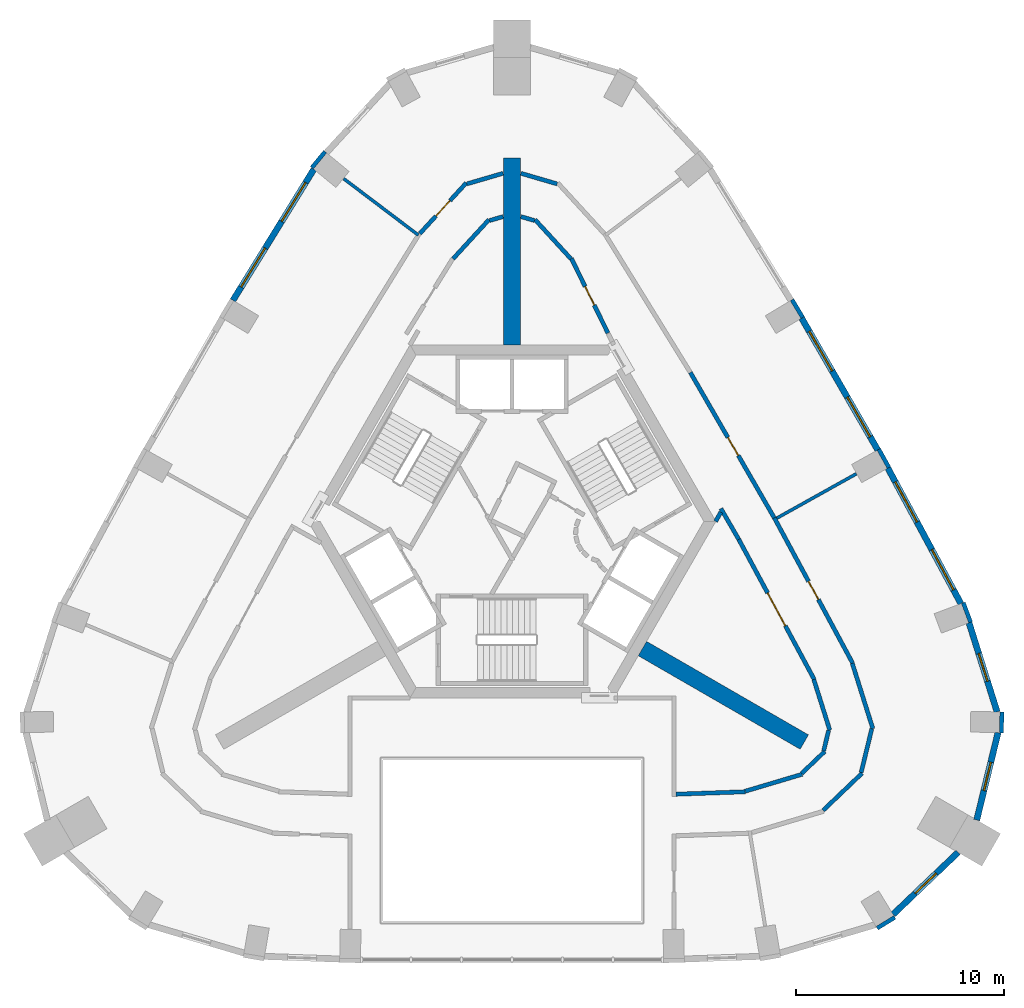
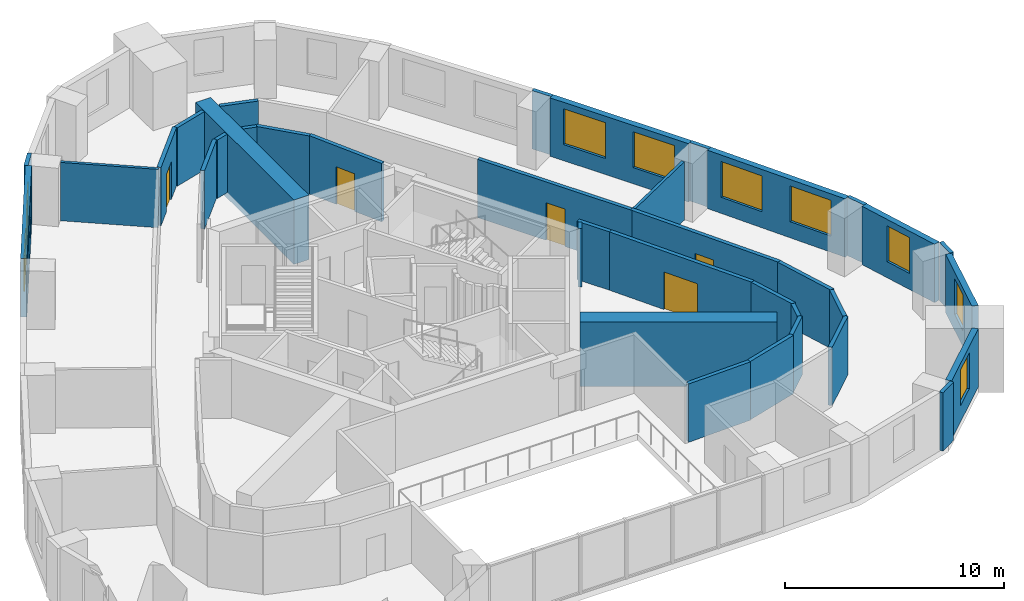
# One storey, part 6 of 8: 37 walls, 9 windows, 5 doors, 14 openings.
"""IFC4 building model written with IfcOpenShell, lengths in metres."""

from ifc_helpers import new_model, si_unit, direction, frame, frame_2d, origin, place, context, subcontext, project, spatial, rectangle, extrude, material, layer, layer_set, type_object, element, fill, save


model = new_model("IFC4")

# Units and contexts
model_context = context("Model", 3, precision=1e-05, world=origin(), true_north=direction((0.0, 1.0)))
body_context = subcontext(model_context, "Body", "Model", "MODEL_VIEW")
ifc_project = project(units=[si_unit("LENGTHUNIT", "METRE"), si_unit("AREAUNIT", "SQUARE_METRE"), si_unit("VOLUMEUNIT", "CUBIC_METRE"), si_unit("PLANEANGLEUNIT", "RADIAN"), si_unit("MASSUNIT", "GRAM", prefix="KILO")], contexts=[model_context])

# Site, building, storey
site_placement = place(None, origin())
site = spatial("IfcSite", under=ifc_project, at=site_placement, CompositionType="ELEMENT")
building_placement = place(site_placement, origin())
building = spatial("IfcBuilding", under=site, at=building_placement, Name="Entoto Arch Interchange Tower", CompositionType="ELEMENT")
storey_placement = place(building_placement, frame((0.0, 0.0, 311.60009765625)))
storey = spatial("IfcBuildingStorey", under=building, at=storey_placement, Name="L73", CompositionType="ELEMENT", Elevation=311.60009765625)

# Walls
ifc_material_1 = material(Name="Concrete C40/50", Category="concrete")
ifc_layer_1 = layer(ifc_material_1, 0.800048828125)
ifc_layer_set_1 = layer_set([ifc_layer_1], Name="Concrete C40/50")
wall_type_1 = type_object("IfcWallType", Name="Buttress wall 800 C40/50", PredefinedType="SHEAR", material=ifc_layer_set_1)
wall_1_placement = place(storey_placement, frame((6.279052734375, -3.625, -0.340087890625), z_axis=(0.0, 0.0, 1.0), x_axis=(0.866017533419, -0.500013631625, 0.0)))
element("IfcWall", 1, at=wall_1_placement, inside=storey, type_object=wall_type_1, Name="Buttress wall SE L73", PredefinedType="SHEAR", context=body_context, shape_type="SweptSolid", body=[
    extrude(rectangle(XDim=8.999755859375, YDim=0.800048828125, at=frame_2d((4.5, 0.0))), origin(), (0.0, 0.0, 1.0), 3.60009765625),
])
wall_2_placement = place(storey_placement, frame((0.0, 11.0, -0.340087890625), z_axis=(0.0, 0.0, 1.0), x_axis=(0.0, 1.0, 0.0)))
element("IfcWall", 2, at=wall_2_placement, inside=storey, type_object=wall_type_1, Name="Buttress wall N L73", PredefinedType="SHEAR", context=body_context, shape_type="SweptSolid", body=[
    extrude(rectangle(XDim=9.0, YDim=0.800048828125, at=frame_2d((4.5, 0.0))), origin(), (0.0, 0.0, 1.0), 3.60009765625),
])
ifc_material_2 = material(Name="Gypsum board partition on steel studs", Category="steel")
ifc_layer_2 = layer(ifc_material_2, 0.14990234375)
ifc_layer_set_2 = layer_set([ifc_layer_2], Name="Gypsum board partition on steel studs")
wall_type_2 = type_object("IfcWallType", Name="PARTITION 150", PredefinedType="PARTITIONING", material=ifc_layer_set_2)
wall_3_placement = place(storey_placement, frame((12.7509765625, 2.654052734375, 0.0), z_axis=(0.0, 0.0, 1.0), x_axis=(0.873277679945, 0.487222837837, 0.0)))
element("IfcWall", 3, at=wall_3_placement, inside=storey, type_object=wall_type_2, Name="wall:L73:p070", PredefinedType="PARTITIONING", context=body_context, shape_type="SweptSolid", body=[
    extrude(rectangle(XDim=4.3798828125, YDim=0.14990234375, at=frame_2d((2.18994140625, 0.0))), origin(), (0.0, 0.0, 1.0), 3.260009765625),
])
wall_4_placement = place(storey_placement, frame((-4.507080078125, 16.279052734375, 0.0), z_axis=(0.0, 0.0, 1.0), x_axis=(-0.797594482062, 0.603194033611, 0.0)))
element("IfcWall", 4, at=wall_4_placement, inside=storey, type_object=wall_type_2, Name="wall:L73:p072", PredefinedType="PARTITIONING", context=body_context, shape_type="SweptSolid", body=[
    extrude(rectangle(XDim=4.506103515625, YDim=0.14990234375, at=frame_2d((2.2529296875, 0.0))), origin(), (0.0, 0.0, 1.0), 3.260009765625),
])
ifc_layer_3 = layer(ifc_material_2, 0.199951171875)
ifc_layer_set_3 = layer_set([ifc_layer_3], Name="Gypsum board partition on steel studs")
wall_type_3 = type_object("IfcWallType", Name="PARTITION 200", PredefinedType="PARTITIONING", material=ifc_layer_set_3)
wall_5_placement = place(storey_placement, frame((1.10693359375, 17.028076171875, 0.0), z_axis=(0.0, 0.0, 1.0), x_axis=(0.675780767979, -0.737102675093, 0.0)))
element("IfcWall", 5, at=wall_5_placement, inside=storey, type_object=wall_type_3, Name="wall:L73:p006", PredefinedType="PARTITIONING", context=body_context, shape_type="SweptSolid", body=[
    extrude(rectangle(XDim=2.56005859375, YDim=0.199951171875, at=frame_2d((1.280029296875, 0.0))), origin(), (0.0, 0.0, 1.0), 3.260009765625),
])
wall_6_placement = place(storey_placement, frame((1.077880859375, 16.98193359375, 0.0), z_axis=(0.0, 0.0, 1.0), x_axis=(-0.959749259422, 0.280858254354, 0.0)))
element("IfcWall", 6, at=wall_6_placement, inside=storey, type_object=wall_type_3, Name="wall:L73:p007", PredefinedType="PARTITIONING", context=body_context, shape_type="SweptSolid", body=[
    extrude(rectangle(XDim=0.67724609375, YDim=0.199951171875, at=frame_2d((0.338623046875, 0.0))), origin(), (0.0, 0.0, 1.0), 3.260009765625),
])

# Wall, opening, door
wall_7_placement = place(storey_placement, frame((4.618896484375, 11.56396484375, 0.0), z_axis=(0.0, 0.0, 1.0), x_axis=(-0.439654479941, 0.898166987964, 0.0)))
wall_7 = element("IfcWall", 7, at=wall_7_placement, inside=storey, type_object=wall_type_3, Name="wall:L73:p009", PredefinedType="PARTITIONING", context=body_context, shape_type="SweptSolid", body=[
    extrude(rectangle(XDim=4.00048828125, YDim=0.199951171875, at=frame_2d((2.000244140625, 0.0))), origin(), (0.0, 0.0, 1.0), 3.260009765625),
])
opening_1_placement = place(wall_7_placement, frame((1.5, 0.0, 0.0)))
opening_1 = element("IfcOpeningElement", 8, at=opening_1_placement, cuts=wall_7, Name="Opening L73-D09", PredefinedType="OPENING", context=body_context, shape_type="SweptSolid", body=[
    extrude(rectangle(XDim=1.0, YDim=2.10009765625, at=frame_2d((0.5, 1.050048828125))), frame((0.0, 0.10986328125, 0.0), z_axis=(0.0, -1.0, 0.0), x_axis=(1.0, 0.0, 0.0)), (0.0, 0.0, 1.0), 0.219970703125),
])
ifc_material_3 = material(Name="Timber door leaf in Steel S235 frame", Category="steel")
door_type_1 = type_object("IfcDoorType", Name="DOOR DS-10 1000x2100", OperationType="SINGLE_SWING_LEFT", PredefinedType="DOOR", material=ifc_material_3)
door_1_placement = place(opening_1_placement, origin())
door_1 = element("IfcDoor", 9, at=door_1_placement, inside=storey, type_object=door_type_1, Name="door:L73:09", OperationType="SINGLE_SWING_LEFT", OverallHeight=2.10009765625, OverallWidth=1.0, PredefinedType="DOOR", context=body_context, shape_type="SweptSolid", body=[
    extrude(rectangle(XDim=1.0, YDim=2.10009765625, at=frame_2d((0.5, 1.050048828125))), frame((0.0, 0.02490234375, 0.0), z_axis=(0.0, -1.0, 0.0), x_axis=(1.0, 0.0, 0.0)), (0.0, 0.0, 1.0), 0.050048828125),
])
fill(opening_1, door_1)

# Walls
wall_8_placement = place(storey_placement, frame((-0.427978515625, 17.173095703125, 0.0), z_axis=(0.0, 0.0, 1.0), x_axis=(-0.959359762669, -0.282185835526, 0.0)))
element("IfcWall", 10, at=wall_8_placement, inside=storey, type_object=wall_type_3, Name="wall:L73:p010", PredefinedType="PARTITIONING", context=body_context, shape_type="SweptSolid", body=[
    extrude(rectangle(XDim=0.677490234375, YDim=0.199951171875, at=frame_2d((0.3388671875, 0.0))), origin(), (0.0, 0.0, 1.0), 3.260009765625),
])
wall_9_placement = place(storey_placement, frame((-1.10693359375, 17.028076171875, 0.0), z_axis=(0.0, 0.0, 1.0), x_axis=(-0.675780767979, -0.737102675093, 0.0)))
element("IfcWall", 11, at=wall_9_placement, inside=storey, type_object=wall_type_3, Name="wall:L73:p011", PredefinedType="PARTITIONING", context=body_context, shape_type="SweptSolid", body=[
    extrude(rectangle(XDim=2.56005859375, YDim=0.199951171875, at=frame_2d((1.280029296875, 0.0))), origin(), (0.0, 0.0, 1.0), 3.260009765625),
])
wall_10_placement = place(storey_placement, frame((7.89990234375, -10.636962890625, 0.0), z_axis=(0.0, 0.0, 1.0), x_axis=(0.999372900517, 0.035409119054, 0.0)))
element("IfcWall", 12, at=wall_10_placement, inside=storey, type_object=wall_type_3, Name="wall:L73:p014", PredefinedType="PARTITIONING", context=body_context, shape_type="SweptSolid", body=[
    extrude(rectangle(XDim=3.330322265625, YDim=0.199951171875, at=frame_2d((1.6650390625, 0.0))), origin(), (0.0, 0.0, 1.0), 3.260009765625),
])
wall_11_placement = place(storey_placement, frame((11.22412109375, -10.493896484375, 0.0), z_axis=(0.0, 0.0, 1.0), x_axis=(0.958417413979, 0.285370041492, 0.0)))
element("IfcWall", 13, at=wall_11_placement, inside=storey, type_object=wall_type_3, Name="wall:L73:p015", PredefinedType="PARTITIONING", context=body_context, shape_type="SweptSolid", body=[
    extrude(rectangle(XDim=2.865966796875, YDim=0.199951171875, at=frame_2d((1.43310546875, 0.0))), origin(), (0.0, 0.0, 1.0), 3.260009765625),
])
wall_12_placement = place(storey_placement, frame((13.947021484375, -9.635986328125, 0.0), z_axis=(0.0, 0.0, 1.0), x_axis=(0.723283043556, 0.690551691696, 0.0)))
element("IfcWall", 14, at=wall_12_placement, inside=storey, type_object=wall_type_3, Name="wall:L73:p016", PredefinedType="PARTITIONING", context=body_context, shape_type="SweptSolid", body=[
    extrude(rectangle(XDim=1.529052734375, YDim=0.199951171875, at=frame_2d((0.7646484375, 0.0))), origin(), (0.0, 0.0, 1.0), 3.260009765625),
])
wall_13_placement = place(storey_placement, frame((15.00390625, -8.552001953125, 0.0), z_axis=(0.0, 0.0, 1.0), x_axis=(0.237373129266, 0.971418549083, 0.0)))
element("IfcWall", 15, at=wall_13_placement, inside=storey, type_object=wall_type_3, Name="wall:L73:p017", PredefinedType="PARTITIONING", context=body_context, shape_type="SweptSolid", body=[
    extrude(rectangle(XDim=1.0244140625, YDim=0.199951171875, at=frame_2d((0.51220703125, 0.0))), origin(), (0.0, 0.0, 1.0), 3.260009765625),
])
wall_14_placement = place(storey_placement, frame((15.300048828125, -7.554931640625, 0.0), z_axis=(0.0, 0.0, 1.0), x_axis=(-0.300501248013, 0.953781421471, 0.0)))
element("IfcWall", 16, at=wall_14_placement, inside=storey, type_object=wall_type_3, Name="wall:L73:p018", PredefinedType="PARTITIONING", context=body_context, shape_type="SweptSolid", body=[
    extrude(rectangle(XDim=2.55908203125, YDim=0.199951171875, at=frame_2d((1.279541015625, 0.0))), origin(), (0.0, 0.0, 1.0), 3.260009765625),
])

# Wall, opening, door
wall_15_placement = place(storey_placement, frame((14.549072265625, -5.10693359375, 0.0), z_axis=(0.0, 0.0, 1.0), x_axis=(-0.47449538478, 0.880257990491, 0.0)))
wall_15 = element("IfcWall", 17, at=wall_15_placement, inside=storey, type_object=wall_type_3, Name="wall:L73:p019", PredefinedType="PARTITIONING", context=body_context, shape_type="SweptSolid", body=[
    extrude(rectangle(XDim=7.654541015625, YDim=0.199951171875, at=frame_2d((3.8271484375, 0.0))), origin(), (0.0, 0.0, 1.0), 3.260009765625),
])
opening_2_placement = place(wall_15_placement, frame((2.927001953125, 0.0, 0.0)))
opening_2 = element("IfcOpeningElement", 18, at=opening_2_placement, cuts=wall_15, Name="Opening L73-D08", PredefinedType="OPENING", context=body_context, shape_type="SweptSolid", body=[
    extrude(rectangle(XDim=1.800048828125, YDim=2.10009765625, at=frame_2d((0.89990234375, 1.050048828125))), frame((0.0, 0.10986328125, 0.0), z_axis=(0.0, -1.0, 0.0), x_axis=(1.0, 0.0, 0.0)), (0.0, 0.0, 1.0), 0.219970703125),
])
door_type_2 = type_object("IfcDoorType", Name="DOOR DD-18 1800x2100", OperationType="DOUBLE_DOOR_SINGLE_SWING", PredefinedType="DOOR", material=ifc_material_3)
door_2_placement = place(opening_2_placement, origin())
door_2 = element("IfcDoor", 19, at=door_2_placement, inside=storey, type_object=door_type_2, Name="door:L73:08", OperationType="DOUBLE_DOOR_SINGLE_SWING", OverallHeight=2.10009765625, OverallWidth=1.800048828125, PredefinedType="DOOR", context=body_context, shape_type="SweptSolid", body=[
    extrude(rectangle(XDim=1.800048828125, YDim=2.10009765625, at=frame_2d((0.89990234375, 1.050048828125))), frame((0.0, 0.02490234375, 0.0), z_axis=(0.0, -1.0, 0.0), x_axis=(1.0, 0.0, 0.0)), (0.0, 0.0, 1.0), 0.050048828125),
])
fill(opening_2, door_2)

# Walls
wall_16_placement = place(storey_placement, frame((10.9169921875, 1.631103515625, 0.0), z_axis=(0.0, 0.0, 1.0), x_axis=(-0.500699613169, 0.865621104972, 0.0)))
element("IfcWall", 20, at=wall_16_placement, inside=storey, type_object=wall_type_3, Name="wall:L73:p020", PredefinedType="PARTITIONING", context=body_context, shape_type="SweptSolid", body=[
    extrude(rectangle(XDim=1.71533203125, YDim=0.199951171875, at=frame_2d((0.857666015625, 0.0))), origin(), (0.0, 0.0, 1.0), 3.260009765625),
])
wall_17_placement = place(storey_placement, frame((10.05810546875, 2.943115234375, 0.0), z_axis=(0.0, 0.0, 1.0), x_axis=(-0.499352927503, -0.866398669086, 0.0)))
element("IfcWall", 21, at=wall_17_placement, inside=storey, type_object=wall_type_3, Name="wall:L73:p021", PredefinedType="PARTITIONING", context=body_context, shape_type="SweptSolid", body=[
    extrude(rectangle(XDim=0.514892578125, YDim=0.199951171875, at=frame_2d((0.25732421875, 0.0))), origin(), (0.0, 0.0, 1.0), 3.260009765625),
])

# Wall, opening, door
wall_18_placement = place(storey_placement, frame((12.6279296875, 2.6708984375, 0.0), z_axis=(0.0, 0.0, 1.0), x_axis=(0.474489967676, -0.880260910512, 0.0)))
wall_18 = element("IfcWall", 22, at=wall_18_placement, inside=storey, type_object=wall_type_3, Name="wall:L73:p031", PredefinedType="PARTITIONING", context=body_context, shape_type="SweptSolid", body=[
    extrude(rectangle(XDim=7.947509765625, YDim=0.199951171875, at=frame_2d((3.9736328125, 0.0))), origin(), (0.0, 0.0, 1.0), 3.260009765625),
])
opening_3_placement = place(wall_18_placement, frame((3.47412109375, 0.0, 0.0)))
opening_3 = element("IfcOpeningElement", 23, at=opening_3_placement, cuts=wall_18, Name="Opening L73-D02", PredefinedType="OPENING", context=body_context, shape_type="SweptSolid", body=[
    extrude(rectangle(XDim=1.0, YDim=2.10009765625, at=frame_2d((0.5, 1.050048828125))), frame((0.0, 0.10986328125, 0.0), z_axis=(0.0, -1.0, 0.0), x_axis=(1.0, 0.0, 0.0)), (0.0, 0.0, 1.0), 0.219970703125),
])
door_3_placement = place(opening_3_placement, origin())
door_3 = element("IfcDoor", 24, at=door_3_placement, inside=storey, type_object=door_type_1, Name="door:L73:02", OperationType="SINGLE_SWING_LEFT", OverallHeight=2.10009765625, OverallWidth=1.0, PredefinedType="DOOR", context=body_context, shape_type="SweptSolid", body=[
    extrude(rectangle(XDim=1.0, YDim=2.10009765625, at=frame_2d((0.5, 1.050048828125))), frame((0.0, 0.02490234375, 0.0), z_axis=(0.0, -1.0, 0.0), x_axis=(1.0, 0.0, 0.0)), (0.0, 0.0, 1.0), 0.050048828125),
])
fill(opening_3, door_3)

# Walls
wall_19_placement = place(storey_placement, frame((16.382080078125, -4.33203125, 0.0), z_axis=(0.0, 0.0, 1.0), x_axis=(0.300195088058, -0.953877827138, 0.0)))
element("IfcWall", 25, at=wall_19_placement, inside=storey, type_object=wall_type_3, Name="wall:L73:p032", PredefinedType="PARTITIONING", context=body_context, shape_type="SweptSolid", body=[
    extrude(rectangle(XDim=3.3076171875, YDim=0.199951171875, at=frame_2d((1.65380859375, 0.0))), origin(), (0.0, 0.0, 1.0), 3.260009765625),
])
wall_20_placement = place(storey_placement, frame((17.322021484375, -7.488037109375, 0.0), z_axis=(0.0, 0.0, 1.0), x_axis=(-0.23664760587, -0.971595548897, 0.0)))
element("IfcWall", 26, at=wall_20_placement, inside=storey, type_object=wall_type_3, Name="wall:L73:p033", PredefinedType="PARTITIONING", context=body_context, shape_type="SweptSolid", body=[
    extrude(rectangle(XDim=2.16748046875, YDim=0.199951171875, at=frame_2d((1.083740234375, 0.0))), origin(), (0.0, 0.0, 1.0), 3.260009765625),
])
wall_21_placement = place(storey_placement, frame((16.85693359375, -9.6220703125, 0.0), z_axis=(0.0, 0.0, 1.0), x_axis=(-0.723099256445, -0.690744138831, 0.0)))
element("IfcWall", 27, at=wall_21_placement, inside=storey, type_object=wall_type_3, Name="wall:L73:p034", PredefinedType="PARTITIONING", context=body_context, shape_type="SweptSolid", body=[
    extrude(rectangle(XDim=2.595703125, YDim=0.199951171875, at=frame_2d((1.2978515625, 0.0))), origin(), (0.0, 0.0, 1.0), 3.260009765625),
])

# Wall, opening, door
wall_22_placement = place(storey_placement, frame((8.587890625, 9.6650390625, 0.0), z_axis=(0.0, 0.0, 1.0), x_axis=(0.499946799636, -0.86605611685, 0.0)))
wall_22 = element("IfcWall", 28, at=wall_22_placement, inside=storey, type_object=wall_type_3, Name="wall:L73:p037", PredefinedType="PARTITIONING", context=body_context, shape_type="SweptSolid", body=[
    extrude(rectangle(XDim=8.22705078125, YDim=0.199951171875, at=frame_2d((4.113525390625, 0.0))), origin(), (0.0, 0.0, 1.0), 3.260009765625),
])
opening_4_placement = place(wall_22_placement, frame((3.613037109375, 0.0, 0.0)))
opening_4 = element("IfcOpeningElement", 29, at=opening_4_placement, cuts=wall_22, Name="Opening L73-D03", PredefinedType="OPENING", context=body_context, shape_type="SweptSolid", body=[
    extrude(rectangle(XDim=1.0, YDim=2.10009765625, at=frame_2d((0.5, 1.050048828125))), frame((0.0, 0.10986328125, 0.0), z_axis=(0.0, -1.0, 0.0), x_axis=(1.0, 0.0, 0.0)), (0.0, 0.0, 1.0), 0.219970703125),
])
door_4_placement = place(opening_4_placement, origin())
door_4 = element("IfcDoor", 30, at=door_4_placement, inside=storey, type_object=door_type_1, Name="door:L73:03", OperationType="SINGLE_SWING_RIGHT", OverallHeight=2.10009765625, OverallWidth=1.0, PredefinedType="DOOR", context=body_context, shape_type="SweptSolid", body=[
    extrude(rectangle(XDim=1.0, YDim=2.10009765625, at=frame_2d((0.5, 1.050048828125))), frame((0.0, 0.02490234375, 0.0), z_axis=(0.0, -1.0, 0.0), x_axis=(1.0, 0.0, 0.0)), (0.0, 0.0, 1.0), 0.050048828125),
])
fill(opening_4, door_4)

wall_23_placement = place(storey_placement, frame((-4.43896484375, 16.35302734375, 0.0), z_axis=(0.0, 0.0, 1.0), x_axis=(0.675731313907, 0.737148011871, 0.0)))
wall_23 = element("IfcWall", 31, at=wall_23_placement, inside=storey, type_object=wall_type_3, Name="wall:L73:p038", PredefinedType="PARTITIONING", context=body_context, shape_type="SweptSolid", body=[
    extrude(rectangle(XDim=3.307373046875, YDim=0.199951171875, at=frame_2d((1.65380859375, 0.0))), origin(), (0.0, 0.0, 1.0), 3.260009765625),
])
opening_5_placement = place(wall_23_placement, frame((1.154052734375, 0.0, 0.0)))
opening_5 = element("IfcOpeningElement", 32, at=opening_5_placement, cuts=wall_23, Name="Opening L73-D04", PredefinedType="OPENING", context=body_context, shape_type="SweptSolid", body=[
    extrude(rectangle(XDim=1.0, YDim=2.10009765625, at=frame_2d((0.5, 1.050048828125))), frame((0.0, 0.10986328125, 0.0), z_axis=(0.0, -1.0, 0.0), x_axis=(1.0, 0.0, 0.0)), (0.0, 0.0, 1.0), 0.219970703125),
])
door_5_placement = place(opening_5_placement, origin())
door_5 = element("IfcDoor", 33, at=door_5_placement, inside=storey, type_object=door_type_1, Name="door:L73:04", OperationType="SINGLE_SWING_LEFT", OverallHeight=2.10009765625, OverallWidth=1.0, PredefinedType="DOOR", context=body_context, shape_type="SweptSolid", body=[
    extrude(rectangle(XDim=1.0, YDim=2.10009765625, at=frame_2d((0.5, 1.050048828125))), frame((0.0, 0.02490234375, 0.0), z_axis=(0.0, -1.0, 0.0), x_axis=(1.0, 0.0, 0.0)), (0.0, 0.0, 1.0), 0.050048828125),
])
fill(opening_5, door_5)

# Walls
for number, where, z_axis, x_axis, name in (
    (34, (-2.175048828125, 18.7451171875, 0.0), (0.0, 0.0, 1.0), (0.959789423201, 0.280720970201, 0.0), "wall:L73:p039"),
    (35, (0.427978515625, 19.256103515625, 0.0), (0.0, 0.0, 1.0), (0.959789423201, -0.280720970201, 0.0), "wall:L73:p040"),
):
    element("IfcWall", number, at=place(storey_placement, frame(where, z_axis=z_axis, x_axis=x_axis)), inside=storey, type_object=wall_type_3, Name=name, PredefinedType="PARTITIONING", context=body_context, shape_type="SweptSolid", body=[
        extrude(rectangle(XDim=1.8203125, YDim=0.199951171875, at=frame_2d((0.91015625, 0.0))), origin(), (0.0, 0.0, 1.0), 3.260009765625),
    ])

# Wall, opening, window
ifc_material_4 = material(Name="Welded tuff (ignimbrite) cladding, warm buff", Category="masonry")
ifc_layer_4 = layer(ifc_material_4, 0.300048828125)
ifc_layer_set_4 = layer_set([ifc_layer_4], Name="Welded tuff (ignimbrite) cladding, warm buff")
wall_type_4 = type_object("IfcWallType", Name="STONE INFILL WALL 300", PredefinedType="STANDARD", material=ifc_layer_set_4)
wall_24_placement = place(storey_placement, frame((18.346923828125, -16.427001953125, 0.0), z_axis=(0.0, 0.0, 1.0), x_axis=(0.723113419412, 0.690729312152, 0.0)))
wall_24 = element("IfcWall", 36, at=wall_24_placement, inside=storey, type_object=wall_type_4, Name="Facade wall SE-02 L73", PredefinedType="STANDARD", context=body_context, shape_type="SweptSolid", body=[
    extrude(rectangle(XDim=4.327392578125, YDim=0.300048828125, at=frame_2d((2.16357421875, 0.0))), origin(), (0.0, 0.0, 1.0), 3.260009765625),
])
opening_6_placement = place(wall_24_placement, frame((1.464111328125, 0.0, 0.89990234375)))
opening_6 = element("IfcOpeningElement", 37, at=opening_6_placement, cuts=wall_24, Name="Opening WH-B", PredefinedType="OPENING", context=body_context, shape_type="SweptSolid", body=[
    extrude(rectangle(XDim=1.39990234375, YDim=2.0, at=frame_2d((0.699951171875, 1.0))), frame((0.0, 0.16015625, 0.0), z_axis=(0.0, -1.0, 0.0), x_axis=(1.0, 0.0, 0.0)), (0.0, 0.0, 1.0), 0.320068359375),
])
ifc_material_5 = material(Name="Clear glass, low-e double glazed", Category="glass")
window_type_1 = type_object("IfcWindowType", Name="WINDOW WH-B 1400x2000", PartitioningType="DOUBLE_PANEL_VERTICAL", PredefinedType="WINDOW", material=ifc_material_5)
window_1_placement = place(opening_6_placement, origin())
window_1 = element("IfcWindow", 38, at=window_1_placement, inside=storey, type_object=window_type_1, Name="Window WH-B SE-02 L73", OverallHeight=2.0, OverallWidth=1.39990234375, PartitioningType="SINGLE_PANEL", PredefinedType="WINDOW", context=body_context, shape_type="SweptSolid", body=[
    extrude(rectangle(XDim=1.39990234375, YDim=2.0, at=frame_2d((0.699951171875, 1.0))), frame((0.0, 0.030029296875, 0.0), z_axis=(0.0, -1.0, 0.0), x_axis=(1.0, 0.0, 0.0)), (0.0, 0.0, 1.0), 0.06005859375),
])
fill(opening_6, window_1)

wall_25_placement = place(storey_placement, frame((22.375, -11.881103515625, 0.0), z_axis=(0.0, 0.0, 1.0), x_axis=(0.236958776561, 0.971519705519, 0.0)))
wall_25 = element("IfcWall", 39, at=wall_25_placement, inside=storey, type_object=wall_type_4, Name="Facade wall SE-03 L73", PredefinedType="STANDARD", context=body_context, shape_type="SweptSolid", body=[
    extrude(rectangle(XDim=4.329345703125, YDim=0.300048828125, at=frame_2d((2.16455078125, 0.0))), origin(), (0.0, 0.0, 1.0), 3.260009765625),
])
opening_7_placement = place(wall_25_placement, frame((1.465087890625, 0.0, 0.89990234375)))
opening_7 = element("IfcOpeningElement", 40, at=opening_7_placement, cuts=wall_25, Name="Opening WH-B", PredefinedType="OPENING", context=body_context, shape_type="SweptSolid", body=[
    extrude(rectangle(XDim=1.39990234375, YDim=2.0, at=frame_2d((0.699951171875, 1.0))), frame((0.0, 0.16015625, 0.0), z_axis=(0.0, -1.0, 0.0), x_axis=(1.0, 0.0, 0.0)), (0.0, 0.0, 1.0), 0.320068359375),
])
window_2_placement = place(opening_7_placement, origin())
window_2 = element("IfcWindow", 41, at=window_2_placement, inside=storey, type_object=window_type_1, Name="Window WH-B SE-03 L73", OverallHeight=2.0, OverallWidth=1.39990234375, PartitioningType="SINGLE_PANEL", PredefinedType="WINDOW", context=body_context, shape_type="SweptSolid", body=[
    extrude(rectangle(XDim=1.39990234375, YDim=2.0, at=frame_2d((0.699951171875, 1.0))), frame((0.0, 0.030029296875, 0.0), z_axis=(0.0, -1.0, 0.0), x_axis=(1.0, 0.0, 0.0)), (0.0, 0.0, 1.0), 0.06005859375),
])
fill(opening_7, window_2)

wall_26_placement = place(storey_placement, frame((23.35791015625, -6.675048828125, 0.0), z_axis=(0.0, 0.0, 1.0), x_axis=(-0.300534385574, 0.953770980418, 0.0)))
wall_26 = element("IfcWall", 42, at=wall_26_placement, inside=storey, type_object=wall_type_4, Name="Facade wall SE-04 L73", PredefinedType="STANDARD", context=body_context, shape_type="SweptSolid", body=[
    extrude(rectangle(XDim=4.501953125, YDim=0.300048828125, at=frame_2d((2.2509765625, 0.0))), origin(), (0.0, 0.0, 1.0), 3.260009765625),
])
opening_8_placement = place(wall_26_placement, frame((1.551025390625, 0.0, 0.89990234375)))
opening_8 = element("IfcOpeningElement", 43, at=opening_8_placement, cuts=wall_26, Name="Opening WH-B", PredefinedType="OPENING", context=body_context, shape_type="SweptSolid", body=[
    extrude(rectangle(XDim=1.39990234375, YDim=2.0, at=frame_2d((0.699951171875, 1.0))), frame((0.0, 0.16015625, 0.0), z_axis=(0.0, -1.0, 0.0), x_axis=(1.0, 0.0, 0.0)), (0.0, 0.0, 1.0), 0.320068359375),
])
window_3_placement = place(opening_8_placement, origin())
window_3 = element("IfcWindow", 44, at=window_3_placement, inside=storey, type_object=window_type_1, Name="Window WH-B SE-04 L73", OverallHeight=2.0, OverallWidth=1.39990234375, PartitioningType="SINGLE_PANEL", PredefinedType="WINDOW", context=body_context, shape_type="SweptSolid", body=[
    extrude(rectangle(XDim=1.39990234375, YDim=2.0, at=frame_2d((0.699951171875, 1.0))), frame((0.0, 0.030029296875, 0.0), z_axis=(0.0, -1.0, 0.0), x_axis=(1.0, 0.0, 0.0)), (0.0, 0.0, 1.0), 0.06005859375),
])
fill(opening_8, window_3)

# Wall, openings, windows
wall_27_placement = place(storey_placement, frame((21.614990234375, -1.4619140625, 0.0), z_axis=(0.0, 0.0, 1.0), x_axis=(-0.474421773145, 0.880297666228, 0.0)))
wall_27 = element("IfcWall", 45, at=wall_27_placement, inside=storey, type_object=wall_type_4, Name="Facade wall NE-01 L73", PredefinedType="STANDARD", context=body_context, shape_type="SweptSolid", body=[
    extrude(rectangle(XDim=7.41552734375, YDim=0.300048828125, at=frame_2d((3.707763671875, 0.0))), origin(), (0.0, 0.0, 1.0), 3.260009765625),
])
opening_9_placement = place(wall_27_placement, frame((0.75390625, 0.0, 0.89990234375)))
opening_9 = element("IfcOpeningElement", 46, at=opening_9_placement, cuts=wall_27, Name="Opening WH-A", PredefinedType="OPENING", context=body_context, shape_type="SweptSolid", body=[
    extrude(rectangle(XDim=2.199951171875, YDim=2.0, at=frame_2d((1.10009765625, 1.0))), frame((0.0, 0.16015625, 0.0), z_axis=(0.0, -1.0, 0.0), x_axis=(1.0, 0.0, 0.0)), (0.0, 0.0, 1.0), 0.320068359375),
])
opening_10_placement = place(wall_27_placement, frame((4.4619140625, 0.0, 0.89990234375)))
opening_10 = element("IfcOpeningElement", 47, at=opening_10_placement, cuts=wall_27, Name="Opening WH-A", PredefinedType="OPENING", context=body_context, shape_type="SweptSolid", body=[
    extrude(rectangle(XDim=2.199951171875, YDim=2.0, at=frame_2d((1.10009765625, 1.0))), frame((0.0, 0.16015625, 0.0), z_axis=(0.0, -1.0, 0.0), x_axis=(1.0, 0.0, 0.0)), (0.0, 0.0, 1.0), 0.320068359375),
])
window_type_2 = type_object("IfcWindowType", Name="WINDOW WH-A 2200x2000", PartitioningType="DOUBLE_PANEL_VERTICAL", PredefinedType="WINDOW", material=ifc_material_5)
window_4_placement = place(opening_9_placement, origin())
window_4 = element("IfcWindow", 48, at=window_4_placement, inside=storey, type_object=window_type_2, Name="Window WH-A NE-01 L73", OverallHeight=2.0, OverallWidth=2.199951171875, PartitioningType="SINGLE_PANEL", PredefinedType="WINDOW", context=body_context, shape_type="SweptSolid", body=[
    extrude(rectangle(XDim=2.199951171875, YDim=2.0, at=frame_2d((1.10009765625, 1.0))), frame((0.0, 0.030029296875, 0.0), z_axis=(0.0, -1.0, 0.0), x_axis=(1.0, 0.0, 0.0)), (0.0, 0.0, 1.0), 0.06005859375),
])
fill(opening_9, window_4)
window_5_placement = place(opening_10_placement, origin())
window_5 = element("IfcWindow", 49, at=window_5_placement, inside=storey, type_object=window_type_2, Name="Window WH-A NE-01 L73", OverallHeight=2.0, OverallWidth=2.199951171875, PartitioningType="SINGLE_PANEL", PredefinedType="WINDOW", context=body_context, shape_type="SweptSolid", body=[
    extrude(rectangle(XDim=2.199951171875, YDim=2.0, at=frame_2d((1.10009765625, 1.0))), frame((0.0, 0.030029296875, 0.0), z_axis=(0.0, -1.0, 0.0), x_axis=(1.0, 0.0, 0.0)), (0.0, 0.0, 1.0), 0.06005859375),
])
fill(opening_10, window_5)

wall_28_placement = place(storey_placement, frame((17.610107421875, 5.93701171875, 0.0), z_axis=(0.0, 0.0, 1.0), x_axis=(-0.499923391538, 0.866069629183, 0.0)))
wall_28 = element("IfcWall", 50, at=wall_28_placement, inside=storey, type_object=wall_type_4, Name="Facade wall NE-02 L73", PredefinedType="STANDARD", context=body_context, shape_type="SweptSolid", body=[
    extrude(rectangle(XDim=7.327392578125, YDim=0.300048828125, at=frame_2d((3.66357421875, 0.0))), origin(), (0.0, 0.0, 1.0), 3.260009765625),
])
opening_11_placement = place(wall_28_placement, frame((0.73193359375, 0.0, 0.89990234375)))
opening_11 = element("IfcOpeningElement", 51, at=opening_11_placement, cuts=wall_28, Name="Opening WH-A", PredefinedType="OPENING", context=body_context, shape_type="SweptSolid", body=[
    extrude(rectangle(XDim=2.199951171875, YDim=2.0, at=frame_2d((1.10009765625, 1.0))), frame((0.0, 0.16015625, 0.0), z_axis=(0.0, -1.0, 0.0), x_axis=(1.0, 0.0, 0.0)), (0.0, 0.0, 1.0), 0.320068359375),
])
opening_12_placement = place(wall_28_placement, frame((4.39501953125, 0.0, 0.89990234375)))
opening_12 = element("IfcOpeningElement", 52, at=opening_12_placement, cuts=wall_28, Name="Opening WH-A", PredefinedType="OPENING", context=body_context, shape_type="SweptSolid", body=[
    extrude(rectangle(XDim=2.199951171875, YDim=2.0, at=frame_2d((1.10009765625, 1.0))), frame((0.0, 0.16015625, 0.0), z_axis=(0.0, -1.0, 0.0), x_axis=(1.0, 0.0, 0.0)), (0.0, 0.0, 1.0), 0.320068359375),
])
window_6_placement = place(opening_11_placement, origin())
window_6 = element("IfcWindow", 53, at=window_6_placement, inside=storey, type_object=window_type_2, Name="Window WH-A NE-02 L73", OverallHeight=2.0, OverallWidth=2.199951171875, PartitioningType="SINGLE_PANEL", PredefinedType="WINDOW", context=body_context, shape_type="SweptSolid", body=[
    extrude(rectangle(XDim=2.199951171875, YDim=2.0, at=frame_2d((1.10009765625, 1.0))), frame((0.0, 0.030029296875, 0.0), z_axis=(0.0, -1.0, 0.0), x_axis=(1.0, 0.0, 0.0)), (0.0, 0.0, 1.0), 0.06005859375),
])
fill(opening_11, window_6)
window_7_placement = place(opening_12_placement, origin())
window_7 = element("IfcWindow", 54, at=window_7_placement, inside=storey, type_object=window_type_2, Name="Window WH-A NE-02 L73", OverallHeight=2.0, OverallWidth=2.199951171875, PartitioningType="SINGLE_PANEL", PredefinedType="WINDOW", context=body_context, shape_type="SweptSolid", body=[
    extrude(rectangle(XDim=2.199951171875, YDim=2.0, at=frame_2d((1.10009765625, 1.0))), frame((0.0, 0.030029296875, 0.0), z_axis=(0.0, -1.0, 0.0), x_axis=(1.0, 0.0, 0.0)), (0.0, 0.0, 1.0), 0.06005859375),
])
fill(opening_12, window_7)

wall_29_placement = place(storey_placement, frame((-9.5419921875, 19.449951171875, 0.0), z_axis=(0.0, 0.0, 1.0), x_axis=(-0.525070792614, -0.851058554239, 0.0)))
wall_29 = element("IfcWall", 55, at=wall_29_placement, inside=storey, type_object=wall_type_4, Name="Facade wall NW-01 L73", PredefinedType="STANDARD", context=body_context, shape_type="SweptSolid", body=[
    extrude(rectangle(XDim=7.414306640625, YDim=0.300048828125, at=frame_2d((3.70703125, 0.0))), origin(), (0.0, 0.0, 1.0), 3.260009765625),
])
opening_13_placement = place(wall_29_placement, frame((0.75390625, 0.0, 0.89990234375)))
opening_13 = element("IfcOpeningElement", 56, at=opening_13_placement, cuts=wall_29, Name="Opening WH-A", PredefinedType="OPENING", context=body_context, shape_type="SweptSolid", body=[
    extrude(rectangle(XDim=2.199951171875, YDim=2.0, at=frame_2d((1.10009765625, 1.0))), frame((0.0, 0.16015625, 0.0), z_axis=(0.0, -1.0, 0.0), x_axis=(1.0, 0.0, 0.0)), (0.0, 0.0, 1.0), 0.320068359375),
])
opening_14_placement = place(wall_29_placement, frame((4.4609375, 0.0, 0.89990234375)))
opening_14 = element("IfcOpeningElement", 57, at=opening_14_placement, cuts=wall_29, Name="Opening WH-A", PredefinedType="OPENING", context=body_context, shape_type="SweptSolid", body=[
    extrude(rectangle(XDim=2.199951171875, YDim=2.0, at=frame_2d((1.10009765625, 1.0))), frame((0.0, 0.16015625, 0.0), z_axis=(0.0, -1.0, 0.0), x_axis=(1.0, 0.0, 0.0)), (0.0, 0.0, 1.0), 0.320068359375),
])
window_8_placement = place(opening_13_placement, origin())
window_8 = element("IfcWindow", 58, at=window_8_placement, inside=storey, type_object=window_type_2, Name="Window WH-A NW-01 L73", OverallHeight=2.0, OverallWidth=2.199951171875, PartitioningType="SINGLE_PANEL", PredefinedType="WINDOW", context=body_context, shape_type="SweptSolid", body=[
    extrude(rectangle(XDim=2.199951171875, YDim=2.0, at=frame_2d((1.10009765625, 1.0))), frame((0.0, 0.030029296875, 0.0), z_axis=(0.0, -1.0, 0.0), x_axis=(1.0, 0.0, 0.0)), (0.0, 0.0, 1.0), 0.06005859375),
])
fill(opening_13, window_8)
window_9_placement = place(opening_14_placement, origin())
window_9 = element("IfcWindow", 59, at=window_9_placement, inside=storey, type_object=window_type_2, Name="Window WH-A NW-01 L73", OverallHeight=2.0, OverallWidth=2.199951171875, PartitioningType="SINGLE_PANEL", PredefinedType="WINDOW", context=body_context, shape_type="SweptSolid", body=[
    extrude(rectangle(XDim=2.199951171875, YDim=2.0, at=frame_2d((1.10009765625, 1.0))), frame((0.0, 0.030029296875, 0.0), z_axis=(0.0, -1.0, 0.0), x_axis=(1.0, 0.0, 0.0)), (0.0, 0.0, 1.0), 0.06005859375),
])
fill(opening_14, window_9)

# Walls
ifc_layer_5 = layer(ifc_material_4, 0.199951171875)
ifc_layer_set_5 = layer_set([ifc_layer_5], Name="Welded tuff (ignimbrite) cladding, warm buff")
wall_type_5 = type_object("IfcWallType", Name="STONE PIER CLADDING 200", PredefinedType="STANDARD", material=ifc_layer_set_5)
wall_30_placement = place(storey_placement, frame((22.077880859375, -2.35498046875, 0.0), z_axis=(0.0, 0.0, 1.0), x_axis=(-0.350962844851, 0.936389385637, 0.0)))
element("IfcWall", 60, at=wall_30_placement, inside=storey, type_object=wall_type_5, Name="Stone pier NE01 L73", PredefinedType="STANDARD", context=body_context, shape_type="SweptSolid", body=[
    extrude(rectangle(XDim=0.99951171875, YDim=0.199951171875, at=frame_2d((0.499755859375, 0.0))), origin(), (0.0, 0.0, 1.0), 3.260009765625),
])
wall_31_placement = place(storey_placement, frame((18.14697265625, 5.092041015625, 0.0), z_axis=(0.0, 0.0, 1.0), x_axis=(-0.486036693078, 0.873938403425, 0.0)))
element("IfcWall", 61, at=wall_31_placement, inside=storey, type_object=wall_type_5, Name="Stone pier NE02 L73", PredefinedType="STANDARD", context=body_context, shape_type="SweptSolid", body=[
    extrude(rectangle(XDim=1.0, YDim=0.199951171875, at=frame_2d((0.5, 0.0))), origin(), (0.0, 0.0, 1.0), 3.260009765625),
])
wall_32_placement = place(storey_placement, frame((13.9970703125, 12.31201171875, 0.0), z_axis=(0.0, 0.0, 1.0), x_axis=(-0.514064933905, 0.857751271482, 0.0)))
element("IfcWall", 62, at=wall_32_placement, inside=storey, type_object=wall_type_5, Name="Stone pier NE03 L73", PredefinedType="STANDARD", context=body_context, shape_type="SweptSolid", body=[
    extrude(rectangle(XDim=1.000244140625, YDim=0.199951171875, at=frame_2d((0.5, 0.0))), origin(), (0.0, 0.0, 1.0), 3.260009765625),
])
for number, where, z_axis, x_axis, name in (
    (63, (-8.9990234375, 20.297119140625, 0.0), (0.0, 0.0, 1.0), (-0.6357329148, -0.77190910154, 0.0), "Stone pier NW01 L73"),
    (64, (17.5791015625, -17.0859375, 0.0), (0.0, 0.0, 1.0), (0.853679739553, 0.520798331677, 0.0), "Stone pier SE1 L73"),
):
    element("IfcWall", number, at=place(storey_placement, frame(where, z_axis=z_axis, x_axis=x_axis)), inside=storey, type_object=wall_type_5, Name=name, PredefinedType="STANDARD", context=body_context, shape_type="SweptSolid", body=[
        extrude(rectangle(XDim=1.00048828125, YDim=0.199951171875, at=frame_2d((0.500244140625, 0.0))), origin(), (0.0, 0.0, 1.0), 3.260009765625),
    ])
wall_33_placement = place(storey_placement, frame((23.56298828125, -7.678955078125, 0.0), z_axis=(0.0, 0.0, 1.0), x_axis=(0.023942303888, 0.999713341956, 0.0)))
element("IfcWall", 65, at=wall_33_placement, inside=storey, type_object=wall_type_5, Name="Stone pier SE3 L73", PredefinedType="STANDARD", context=body_context, shape_type="SweptSolid", body=[
    extrude(rectangle(XDim=0.999267578125, YDim=0.199951171875, at=frame_2d((0.49951171875, 0.0))), origin(), (0.0, 0.0, 1.0), 3.260009765625),
])

save(model, "model.ifc")
